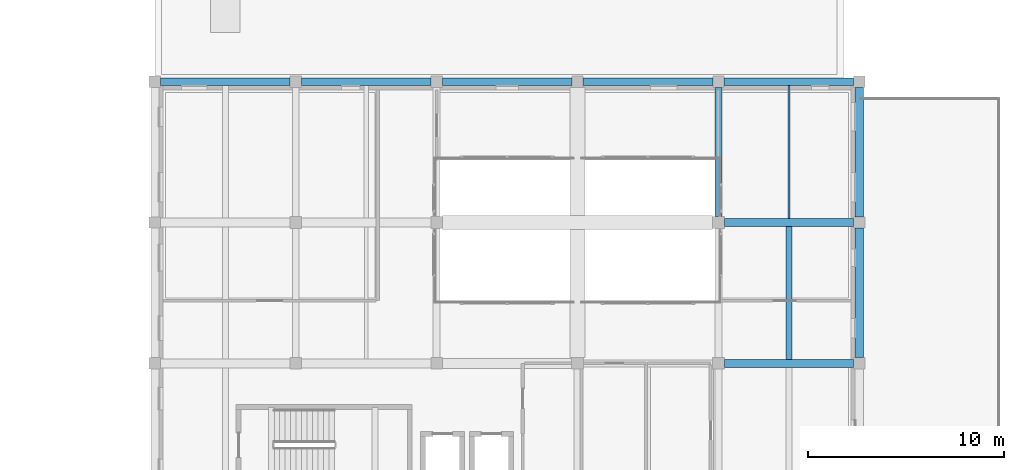
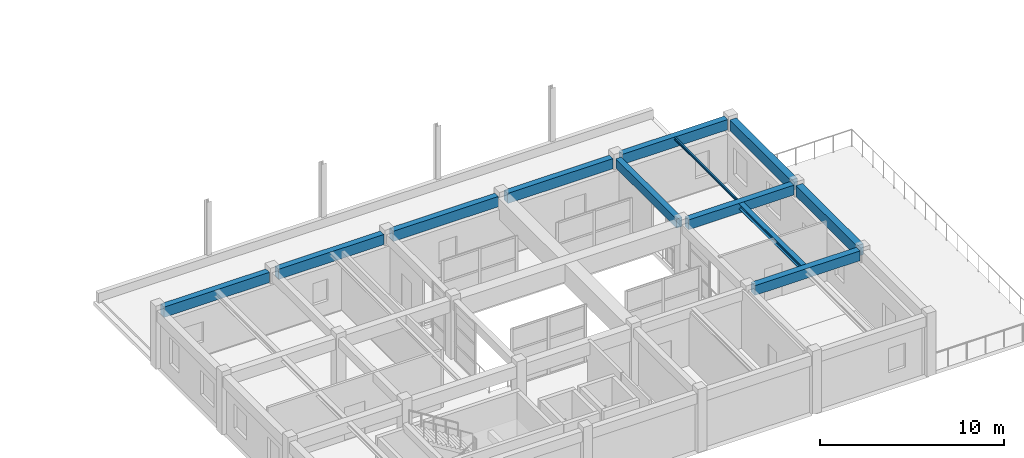
# One storey, part 38 of 99: 12 beams.
"""IFC4 building model written with IfcOpenShell, lengths in metres."""

import ifcopenshell
import ifcopenshell.guid

model = None  # the IFC model being written
_history = None  # IfcOwnerHistory: only IFC2X3 demands one
_inside = {}  # id of a spatial element -> (the spatial element, [elements in it])
_under = {}  # id of a project, library or spatial element -> (it, [spatial elements below it])
_declared = {}  # id of a project -> (the project, [libraries it declares])
_typed = {}  # id of a type object -> (the type object, [elements of that type])
_made_of = {}  # id of a material, layer set ... -> (it, [elements and type objects made of it])


def new_model(schema):
    """Start an empty IFC model of exactly this schema.

    Asked for "IFC4X3", IfcOpenShell would pick the latest addendum, in which some entities
    have other attributes; the version numbers below select the first issue.
    IFC2X3 requires an IfcOwnerHistory on every rooted entity: one is made here for all.
    """
    global model, _history
    if schema == "IFC4X3":
        model = ifcopenshell.file(schema_version=(4, 3, 0, 0))
    else:
        model = ifcopenshell.file(schema=schema)
    _inside.clear()
    _under.clear()
    _declared.clear()
    _typed.clear()
    _made_of.clear()
    _history = None
    if model.schema == "IFC2X3":
        org = make("IfcOrganization", Name="unknown")
        user = make(
            "IfcPersonAndOrganization",
            ThePerson=make("IfcPerson", FamilyName="unknown"),
            TheOrganization=org,
        )
        app = make(
            "IfcApplication",
            ApplicationDeveloper=org,
            Version="unknown",
            ApplicationFullName="unknown",
            ApplicationIdentifier="unknown",
        )
        _history = make(
            "IfcOwnerHistory",
            OwningUser=user,
            OwningApplication=app,
            ChangeAction="ADDED",
            CreationDate=0,
        )
    return model


def make(cls, **values):
    """One entity of the class cls with the attributes given. An attribute that is None is left unset."""
    return model.create_entity(
        cls, **{name: value for name, value in values.items() if value is not None}
    )


def rooted(cls, **values):
    """An entity with a GlobalId (a new one), such as an element, a storey or a relation."""
    return make(cls, GlobalId=ifcopenshell.guid.new(), OwnerHistory=_history, **values)


def si_unit(unit_type, name, prefix=None):
    """IfcSIUnit, for example si_unit("LENGTHUNIT", "METRE", prefix="MILLI")."""
    return make("IfcSIUnit", UnitType=unit_type, Prefix=prefix, Name=name)


def assignment(units):
    """IfcUnitAssignment: the units of a project."""
    return None if units is None else make("IfcUnitAssignment", Units=units)


def point(xyz):
    """IfcCartesianPoint."""
    return None if xyz is None else make("IfcCartesianPoint", Coordinates=xyz)


def direction(xyz):
    """IfcDirection."""
    return None if xyz is None else make("IfcDirection", DirectionRatios=xyz)


def frame(location, z_axis=None, x_axis=None):
    """IfcAxis2Placement3D, a coordinate frame: its origin and axes. An axis left out is left unset."""
    return make(
        "IfcAxis2Placement3D",
        Location=point(location),
        Axis=direction(z_axis),
        RefDirection=direction(x_axis),
    )


def frame_2d(location, x_axis=None):
    """IfcAxis2Placement2D, a coordinate frame in the plane: its origin and x axis."""
    return make(
        "IfcAxis2Placement2D", Location=point(location), RefDirection=direction(x_axis)
    )


def origin():
    """The frame at (0, 0, 0) with its axes left unset."""
    return frame((0.0, 0.0, 0.0))


def origin_2d():
    """The frame at (0, 0) in the plane with its x axis left unset."""
    return frame_2d((0.0, 0.0))


def place(relative_to, where):
    """IfcLocalPlacement: puts the frame where relative to a parent placement (None: the world)."""
    return make(
        "IfcLocalPlacement", PlacementRelTo=relative_to, RelativePlacement=where
    )


def context(
    kind, dimensions, precision=None, world=None, true_north=None, identifier=None
):
    """IfcGeometricRepresentationContext, for example the 3D "Model" context."""
    return make(
        "IfcGeometricRepresentationContext",
        ContextIdentifier=identifier,
        ContextType=kind,
        CoordinateSpaceDimension=dimensions,
        Precision=precision,
        WorldCoordinateSystem=world,
        TrueNorth=true_north,
    )


def subcontext(parent, identifier, kind, view, scale=None):
    """IfcGeometricRepresentationSubContext, for example "Body" below "Model"."""
    return make(
        "IfcGeometricRepresentationSubContext",
        ContextIdentifier=identifier,
        ContextType=kind,
        ParentContext=parent,
        TargetScale=scale,
        TargetView=view,
    )


def project(units=None, contexts=None):
    """IfcProject with its units and contexts."""
    return rooted(
        "IfcProject",
        Name="project",
        RepresentationContexts=contexts,
        UnitsInContext=assignment(units),
    )


def spatial(cls, under=None, at=None, **own):
    """A site, building, storey or space (cls), placed at a placement, below another one or the project."""
    s = rooted(cls, ObjectPlacement=at, **own)
    if under is not None:
        _under.setdefault(under.id(), (under, []))[1].append(s)
    return s


def profile(cls, at=None, kind="AREA", **sizes):
    """A parametric profile (cls). Its sizes go by their IFC names, for example OverallWidth=200.0."""
    return make(cls, ProfileType=kind, Position=at, **sizes)


def rectangle(**sizes):
    """IfcRectangleProfileDef."""
    return profile("IfcRectangleProfileDef", **sizes)


def i_section(**sizes):
    """IfcIShapeProfileDef."""
    return profile("IfcIShapeProfileDef", **sizes)


def extrude(swept, where, along, depth):
    """IfcExtrudedAreaSolid: the profile swept, set in the frame where, extruded along a direction by depth."""
    return make(
        "IfcExtrudedAreaSolid",
        SweptArea=swept,
        Position=where,
        ExtrudedDirection=direction(along),
        Depth=depth,
    )


def shape(context_of_items, identifier, shape_type, items):
    """IfcShapeRepresentation: the items that make up one representation, for example the "Body"."""
    return make(
        "IfcShapeRepresentation",
        ContextOfItems=context_of_items,
        RepresentationIdentifier=identifier,
        RepresentationType=shape_type,
        Items=items,
    )


def material(Name=None, Category=None):
    """IfcMaterial."""
    return make("IfcMaterial", Name=Name, Category=Category)


def material_profile(
    of_material, cross_section, Name=None, Category=None, Priority=None
):
    """IfcMaterialProfile: a cross section and its material."""
    return make(
        "IfcMaterialProfile",
        Name=Name,
        Material=of_material,
        Profile=cross_section,
        Priority=Priority,
        Category=Category,
    )


def profile_set(profiles, Name=None, composite=None):
    """IfcMaterialProfileSet."""
    return make(
        "IfcMaterialProfileSet",
        Name=Name,
        MaterialProfiles=profiles,
        CompositeProfile=composite,
    )


def made_of(thing, what):
    """Note that an element or type object is made of a material, layer set ...; save() writes the relation."""
    if what is not None:
        _made_of.setdefault(what.id(), (what, []))[1].append(thing)
    return thing


def type_object(cls, material=None, **own):
    """A type object (cls), such as IfcWallType, which elements share."""
    return made_of(rooted(cls, **own), material)


def element(
    cls,
    number,
    at=None,
    inside=None,
    cuts=None,
    type_object=None,
    material=None,
    context=None,
    identifier="Body",
    shape_type=None,
    held_by="IfcProductDefinitionShape",
    body=None,
    shapes=None,
    **own,
):
    """One element of the class cls, such as IfcWall. Its Tag is "e" and its number.

    at: its placement. inside: the storey or other place that contains it. cuts: it is an
    opening in that element (IfcRelVoidsElement). A single representation is given by context,
    identifier, shape_type and body (its items); several are given by shapes. held_by: the class
    of the entity that holds the representations. save() writes the other relations.
    """
    e = rooted(cls, Tag="e%d" % number, ObjectPlacement=at, **own)
    if body is not None:
        shapes = [shape(context, identifier, shape_type, body)]
    if shapes is not None:
        e.Representation = make(held_by, Representations=shapes)
    if inside is not None:
        _inside.setdefault(inside.id(), (inside, []))[1].append(e)
    if cuts is not None:
        rooted(
            "IfcRelVoidsElement", RelatingBuildingElement=cuts, RelatedOpeningElement=e
        )
    if type_object is not None:
        _typed.setdefault(type_object.id(), (type_object, []))[1].append(e)
    return made_of(e, material)


def aggregate(whole, parts):
    """IfcRelAggregates: a whole, such as a stair, and the parts it consists of."""
    return rooted("IfcRelAggregates", RelatingObject=whole, RelatedObjects=parts)


def save(model, path):
    """Write the relations noted so far, then the file.

    IfcRelAggregates (storeys below a building ...), IfcRelContainedInSpatialStructure (elements
    in a storey), IfcRelDefinesByType, IfcRelAssociatesMaterial and IfcRelDeclares: one each for
    every whole, place, type object, material and project.
    """
    for whole, parts in _under.values():
        aggregate(whole, parts)
    for where, things in _inside.values():
        rooted(
            "IfcRelContainedInSpatialStructure",
            RelatedElements=things,
            RelatingStructure=where,
        )
    for kind, things in _typed.values():
        rooted("IfcRelDefinesByType", RelatedObjects=things, RelatingType=kind)
    for what, things in _made_of.values():
        rooted("IfcRelAssociatesMaterial", RelatedObjects=things, RelatingMaterial=what)
    for by, libraries in _declared.values():
        rooted("IfcRelDeclares", RelatingContext=by, RelatedDefinitions=libraries)
    model.write(path)


model = new_model("IFC4")

# Units and contexts
model_context = context("Model", 3, precision=1e-05, world=origin(), true_north=direction((0.0, 1.0)))
body_context = subcontext(model_context, "Body", "Model", "MODEL_VIEW")
ifc_project = project(units=[si_unit("LENGTHUNIT", "METRE"), si_unit("AREAUNIT", "SQUARE_METRE"), si_unit("VOLUMEUNIT", "CUBIC_METRE"), si_unit("PLANEANGLEUNIT", "RADIAN"), si_unit("MASSUNIT", "GRAM", prefix="KILO")], contexts=[model_context])

# Site, building, storey
site_placement = place(None, origin())
site = spatial("IfcSite", under=ifc_project, at=site_placement, CompositionType="ELEMENT")
building_placement = place(site_placement, origin())
building = spatial("IfcBuilding", under=site, at=building_placement, Name="Bramveld Media Centre", CompositionType="ELEMENT")
storey_placement = place(building_placement, frame((0.0, 0.0, 13.800048828125)))
storey = spatial("IfcBuildingStorey", under=building, at=storey_placement, Name="L03", CompositionType="ELEMENT", Elevation=13.800048828125)

# Beams
ifc_material_1 = material(Name="Concrete C40/50", Category="concrete")
ifc_material_profile_1 = material_profile(ifc_material_1, rectangle(XDim=0.35009765625, YDim=0.60009765625, at=origin_2d()), Name="RC 350x600")
ifc_profile_set_1 = profile_set([ifc_material_profile_1], Name="Concrete C40/50")
beam_type_1 = type_object("IfcBeamType", Name="BM-INT-RC-350x600", PredefinedType="BEAM", material=ifc_profile_set_1)
beam_1_placement = place(storey_placement, frame((94.39990234375, 105.10009765625, 3.579833984375), z_axis=(0.0, 1.0, 0.0), x_axis=(-1.0, 0.0, 0.0)))
element("IfcBeam", 1, at=beam_1_placement, inside=storey, type_object=beam_type_1, Name="V6 L03 girder Y-1164", PredefinedType="BEAM", context=body_context, shape_type="SweptSolid", body=[
    extrude(rectangle(XDim=0.35009765625, YDim=0.60009765625, at=origin_2d()), origin(), (0.0, 0.0, 1.0), 6.60986328125),
])
ifc_material_2 = material(Name="Concrete C40/50", Category="concrete")
ifc_material_profile_2 = material_profile(ifc_material_2, rectangle(XDim=0.39990234375, YDim=0.64990234375, at=origin_2d()), Name="RC 400x650")
ifc_profile_set_2 = profile_set([ifc_material_profile_2], Name="Concrete C40/50")
beam_type_2 = type_object("IfcBeamType", Name="BM-INT-RC-400x650", PredefinedType="BEAM", material=ifc_profile_set_2)
for number, where, z_axis, x_axis, name in (
    (2, (94.699951171875, 97.60009765625, 3.635009765625), (1.0, 0.0, 0.0), (0.0, 1.0, 0.0), "V6 L03 girder X-1143"),
    (3, (94.699951171875, 104.800048828125, 3.635009765625), (1.0, 0.0, 0.0), (0.0, 1.0, 0.0), "V6 L03 girder X-1147"),
):
    element("IfcBeam", number, at=place(storey_placement, frame(where, z_axis=z_axis, x_axis=x_axis)), inside=storey, type_object=beam_type_2, Name=name, PredefinedType="BEAM", context=body_context, shape_type="SweptSolid", body=[
        extrude(rectangle(XDim=0.39990234375, YDim=0.64990234375, at=origin_2d()), origin(), (0.0, 0.0, 1.0), 6.610107421875),
    ])
ifc_material_3 = material(Name="Steel S355J2", Category="steel")
ifc_material_profile_3 = material_profile(ifc_material_3, i_section(OverallWidth=0.300048828125, OverallDepth=0.360107421875, WebThickness=0.012451171875, FlangeThickness=0.0224609375, FilletRadius=0.027099609375, at=origin_2d()), Name="HEB 360")
ifc_profile_set_3 = profile_set([ifc_material_profile_3], Name="Steel S355J2")
beam_type_3 = type_object("IfcBeamType", Name="SBM-INT-HEB-360", PredefinedType="BEAM", material=ifc_profile_set_3)
beam_2_placement = place(storey_placement, frame((98.0, 97.800048828125, 3.780029296875), z_axis=(0.0, 1.0, 0.0), x_axis=(-1.0, 0.0, 0.0)))
element("IfcBeam", 4, at=beam_2_placement, inside=storey, type_object=beam_type_3, Name="V6 L03 secondary floor joist 1175", PredefinedType="BEAM", context=body_context, shape_type="SweptSolid", body=[
    extrude(i_section(OverallWidth=0.300048828125, OverallDepth=0.360107421875, WebThickness=0.012451171875, FlangeThickness=0.0224609375, FilletRadius=0.027099609375, at=origin_2d()), origin(), (0.0, 0.0, 1.0), 6.800048828125),
])
ifc_material_4 = material(Name="Steel S355J2", Category="steel")
ifc_material_profile_4 = material_profile(ifc_material_4, i_section(OverallWidth=0.091064453125, OverallDepth=0.179931640625, WebThickness=0.00537109375, FlangeThickness=0.008056640625, FilletRadius=0.009033203125, at=origin_2d()), Name="IPE 180")
ifc_profile_set_4 = profile_set([ifc_material_profile_4], Name="Steel S355J2")
beam_type_4 = type_object("IfcBeamType", Name="SBM-INT-IPE-180", PredefinedType="JOIST", material=ifc_profile_set_4)
beam_3_placement = place(storey_placement, frame((98.0, 105.0, 3.869873046875), z_axis=(0.0, 1.0, 0.0), x_axis=(-1.0, 0.0, 0.0)))
element("IfcBeam", 5, at=beam_3_placement, inside=storey, type_object=beam_type_4, Name="V6 L03 secondary floor joist 1176", PredefinedType="JOIST", context=body_context, shape_type="SweptSolid", body=[
    extrude(i_section(OverallWidth=0.091064453125, OverallDepth=0.179931640625, WebThickness=0.00537109375, FlangeThickness=0.008056640625, FilletRadius=0.009033203125, at=origin_2d()), origin(), (0.0, 0.0, 1.0), 6.81005859375),
])
ifc_material_5 = material(Name="Concrete C40/50", Category="concrete")
ifc_material_profile_5 = material_profile(ifc_material_5, rectangle(XDim=0.3798828125, YDim=0.679931640625, at=origin_2d()), Name="RC 380x680")
ifc_profile_set_5 = profile_set([ifc_material_profile_5], Name="Concrete C40/50")
beam_type_5 = type_object("IfcBeamType", Name="SPANDREL-EXT-RC-380x680", PredefinedType="SPANDREL", material=ifc_profile_set_5)
beam_4_placement = place(storey_placement, frame((65.889892578125, 112.0, 3.5400390625), z_axis=(1.0, 0.0, 0.0), x_axis=(0.0, 1.0, 0.0)))
element("IfcBeam", 6, at=beam_4_placement, inside=storey, type_object=beam_type_5, Name="V6 L03 girder X-1148", PredefinedType="SPANDREL", context=body_context, shape_type="SweptSolid", body=[
    extrude(rectangle(XDim=0.3798828125, YDim=0.679931640625, at=origin_2d()), origin(), (0.0, 0.0, 1.0), 6.6201171875),
])
for number, where, z_axis, x_axis, name in (
    (7, (73.090087890625, 112.0, 3.5400390625), (1.0, 0.0, 0.0), (0.0, 1.0, 0.0), "V6 L03 girder X-1149"),
    (8, (80.2900390625, 112.0, 3.5400390625), (1.0, 0.0, 0.0), (0.0, 1.0, 0.0), "V6 L03 girder X-1150"),
):
    element("IfcBeam", number, at=place(storey_placement, frame(where, z_axis=z_axis, x_axis=x_axis)), inside=storey, type_object=beam_type_5, Name=name, PredefinedType="SPANDREL", context=body_context, shape_type="SweptSolid", body=[
        extrude(rectangle(XDim=0.3798828125, YDim=0.679931640625, at=origin_2d()), origin(), (0.0, 0.0, 1.0), 6.619873046875),
    ])
for number, where, z_axis, x_axis, name in (
    (9, (87.489990234375, 112.0, 3.5400390625), (1.0, 0.0, 0.0), (0.0, 1.0, 0.0), "V6 L03 girder X-1151"),
    (10, (94.68994140625, 112.0, 3.60986328125), (1.0, 0.0, 0.0), (0.0, 1.0, 0.0), "V6 L03 girder X-1152"),
):
    element("IfcBeam", number, at=place(storey_placement, frame(where, z_axis=z_axis, x_axis=x_axis)), inside=storey, type_object=beam_type_5, Name=name, PredefinedType="SPANDREL", context=body_context, shape_type="SweptSolid", body=[
        extrude(rectangle(XDim=0.3798828125, YDim=0.679931640625, at=origin_2d()), origin(), (0.0, 0.0, 1.0), 6.6201171875),
    ])
ifc_material_6 = material(Name="Concrete C40/50", Category="concrete")
ifc_material_profile_6 = material_profile(ifc_material_6, rectangle(XDim=0.419921875, YDim=0.719970703125, at=origin_2d()), Name="RC 420x720")
ifc_profile_set_6 = profile_set([ifc_material_profile_6], Name="Concrete C40/50")
beam_type_6 = type_object("IfcBeamType", Name="SPANDREL-EXT-RC-420x720", PredefinedType="SPANDREL", material=ifc_profile_set_6)
beam_5_placement = place(storey_placement, frame((101.60009765625, 97.889892578125, 3.599853515625), z_axis=(0.0, 1.0, 0.0), x_axis=(-1.0, 0.0, 0.0)))
element("IfcBeam", 11, at=beam_5_placement, inside=storey, type_object=beam_type_6, Name="V6 L03 girder Y-1166", PredefinedType="SPANDREL", context=body_context, shape_type="SweptSolid", body=[
    extrude(rectangle(XDim=0.419921875, YDim=0.719970703125, at=origin_2d()), origin(), (0.0, 0.0, 1.0), 6.6201171875),
])
beam_6_placement = place(storey_placement, frame((101.60009765625, 105.090087890625, 3.599853515625), z_axis=(0.0, 1.0, 0.0), x_axis=(-1.0, 0.0, 0.0)))
element("IfcBeam", 12, at=beam_6_placement, inside=storey, type_object=beam_type_6, Name="V6 L03 girder Y-1167", PredefinedType="SPANDREL", context=body_context, shape_type="SweptSolid", body=[
    extrude(rectangle(XDim=0.419921875, YDim=0.719970703125, at=origin_2d()), origin(), (0.0, 0.0, 1.0), 6.619873046875),
])

save(model, "model.ifc")
